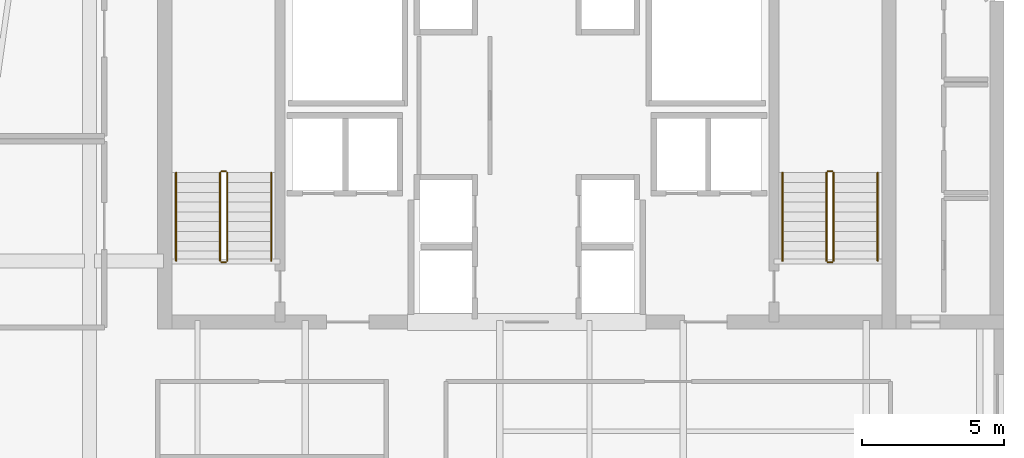
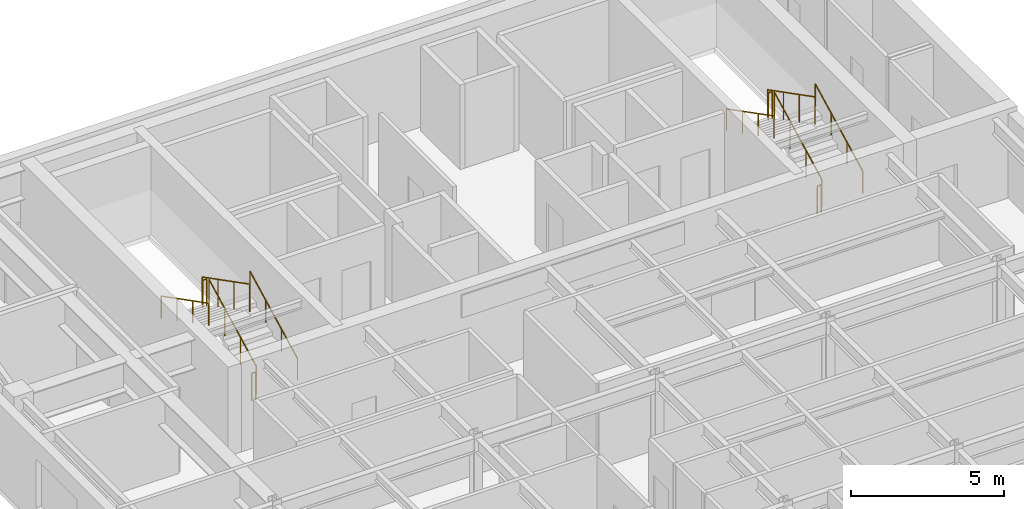
# One storey, part 9 of 9: 12 railings.
"""IFC4 building model written with IfcOpenShell, lengths in metres."""

from ifc_helpers import new_model, si_unit, direction, frame, origin, origin_2d, place, context, subcontext, project, spatial, circle, extrude, material, type_object, element, save


model = new_model("IFC4")

# Units and contexts
model_context = context("Model", 3, precision=1e-05, world=origin(), true_north=direction((0.0, 1.0)))
body_context = subcontext(model_context, "Body", "Model", "MODEL_VIEW")
ifc_project = project(units=[si_unit("LENGTHUNIT", "METRE"), si_unit("AREAUNIT", "SQUARE_METRE"), si_unit("VOLUMEUNIT", "CUBIC_METRE"), si_unit("PLANEANGLEUNIT", "RADIAN"), si_unit("MASSUNIT", "GRAM", prefix="KILO")], contexts=[model_context])

# Site, building, storey
site_placement = place(None, origin())
site = spatial("IfcSite", under=ifc_project, at=site_placement, CompositionType="ELEMENT")
building_placement = place(site_placement, origin())
building = spatial("IfcBuilding", under=site, at=building_placement, Name="Tolvann Quenvar Hotel", CompositionType="ELEMENT")
storey_placement = place(building_placement, frame((0.0, 0.0, 209.699951171875)))
storey = spatial("IfcBuildingStorey", under=building, at=storey_placement, Name="L55", CompositionType="ELEMENT", Elevation=209.699951171875)

# Railings
ifc_material = material(Name="Brushed 316 stainless steel balustrade and handrail", Category="steel")
railing_type_1 = type_object("IfcRailingType", Name="GUARDRAIL", PredefinedType="GUARDRAIL", material=ifc_material)
railing_1_placement = place(storey_placement, frame((12.449951171875, 34.0, 0.177490234375)))
element("IfcRailing", 1, at=railing_1_placement, inside=storey, type_object=railing_type_1, Name="L55 ST-C1 stair guard 1", PredefinedType="GUARDRAIL", context=body_context, shape_type="SweptSolid", body=[
    extrude(circle(Radius=0.02392578125, at=origin_2d()), frame((0.0, 0.0, 1.09619140625), z_axis=(0.0, 0.88919353882, 0.457531256332), x_axis=(-1.0, 0.0, 0.0)), (0.0, 0.0, 1.0), 3.491943359375),
    extrude(circle(Radius=0.02099609375, at=origin_2d()), origin(), (0.0, 0.0, 1.0), 1.072021484375),
    extrude(circle(Radius=0.02099609375, at=origin_2d()), frame((0.0, 1.034912109375, 0.532470703125)), (0.0, 0.0, 1.0), 1.072021484375),
    extrude(circle(Radius=0.02099609375, at=origin_2d()), frame((0.0, 2.070068359375, 1.065185546875)), (0.0, 0.0, 1.0), 1.072021484375),
    extrude(circle(Radius=0.02099609375, at=origin_2d()), frame((0.0, 3.10498046875, 1.59765625)), (0.0, 0.0, 1.0), 1.072021484375),
])
railing_2_placement = place(storey_placement, frame((12.39990234375, 37.155029296875, 1.775146484375)))
element("IfcRailing", 2, at=railing_2_placement, inside=storey, type_object=railing_type_1, Name="L55 ST-C1 stair guard 2", PredefinedType="GUARDRAIL", context=body_context, shape_type="SweptSolid", body=[
    extrude(circle(Radius=0.02392578125, at=origin_2d()), frame((0.0, 0.0, 1.09619140625), z_axis=(-1.0, 0.0, 0.0), x_axis=(0.0, -1.0, 0.0)), (0.0, 0.0, 1.0), 0.14990234375),
    extrude(circle(Radius=0.02099609375, at=origin_2d()), origin(), (0.0, 0.0, 1.0), 1.072021484375),
    extrude(circle(Radius=0.02099609375, at=origin_2d()), frame((-0.14990234375, 0.0, 0.0)), (0.0, 0.0, 1.0), 1.072021484375),
])
railing_3_placement = place(storey_placement, frame((12.199951171875, 37.10498046875, 1.95263671875)))
element("IfcRailing", 3, at=railing_3_placement, inside=storey, type_object=railing_type_1, Name="L55 ST-C1 stair guard 3", PredefinedType="GUARDRAIL", context=body_context, shape_type="SweptSolid", body=[
    extrude(circle(Radius=0.02392578125, at=origin_2d()), frame((0.0, 0.0, 1.09619140625), z_axis=(0.0, -0.889221982265, 0.45747597342), x_axis=(1.0, 0.0, 0.0)), (0.0, 0.0, 1.0), 3.49169921875),
    extrude(circle(Radius=0.02099609375, at=origin_2d()), origin(), (0.0, 0.0, 1.0), 1.072021484375),
    extrude(circle(Radius=0.02099609375, at=origin_2d()), frame((0.0, -1.034912109375, 0.532470703125)), (0.0, 0.0, 1.0), 1.072021484375),
    extrude(circle(Radius=0.02099609375, at=origin_2d()), frame((0.0, -2.070068359375, 1.06494140625)), (0.0, 0.0, 1.0), 1.072021484375),
    extrude(circle(Radius=0.02099609375, at=origin_2d()), frame((0.0, -3.10498046875, 1.597412109375)), (0.0, 0.0, 1.0), 1.072021484375),
])
railing_4_placement = place(storey_placement, frame((12.39990234375, 33.949951171875, 0.0)))
element("IfcRailing", 4, at=railing_4_placement, inside=storey, type_object=railing_type_1, Name="L55 ST-C1 stair guard 4", PredefinedType="GUARDRAIL", context=body_context, shape_type="SweptSolid", body=[
    extrude(circle(Radius=0.02392578125, at=origin_2d()), frame((0.0, 0.0, 1.09619140625), z_axis=(-1.0, 0.0, 0.0), x_axis=(0.0, -1.0, 0.0)), (0.0, 0.0, 1.0), 0.14990234375),
    extrude(circle(Radius=0.02099609375, at=origin_2d()), origin(), (0.0, 0.0, 1.0), 1.072021484375),
    extrude(circle(Radius=0.02099609375, at=origin_2d()), frame((-0.14990234375, 0.0, 0.0)), (0.0, 0.0, 1.0), 1.072021484375),
])
railing_5_placement = place(storey_placement, frame((33.800048828125, 34.0, 0.177490234375)))
element("IfcRailing", 5, at=railing_5_placement, inside=storey, type_object=railing_type_1, Name="L55 ST-C2 stair guard 1", PredefinedType="GUARDRAIL", context=body_context, shape_type="SweptSolid", body=[
    extrude(circle(Radius=0.02392578125, at=origin_2d()), frame((0.0, 0.0, 1.09619140625), z_axis=(0.0, 0.88919353882, 0.457531256332), x_axis=(-1.0, 0.0, 0.0)), (0.0, 0.0, 1.0), 3.491943359375),
    extrude(circle(Radius=0.02099609375, at=origin_2d()), origin(), (0.0, 0.0, 1.0), 1.072021484375),
    extrude(circle(Radius=0.02099609375, at=origin_2d()), frame((0.0, 1.034912109375, 0.532470703125)), (0.0, 0.0, 1.0), 1.072021484375),
    extrude(circle(Radius=0.02099609375, at=origin_2d()), frame((0.0, 2.070068359375, 1.065185546875)), (0.0, 0.0, 1.0), 1.072021484375),
    extrude(circle(Radius=0.02099609375, at=origin_2d()), frame((0.0, 3.10498046875, 1.59765625)), (0.0, 0.0, 1.0), 1.072021484375),
])
railing_6_placement = place(storey_placement, frame((33.75, 37.155029296875, 1.775146484375)))
element("IfcRailing", 6, at=railing_6_placement, inside=storey, type_object=railing_type_1, Name="L55 ST-C2 stair guard 2", PredefinedType="GUARDRAIL", context=body_context, shape_type="SweptSolid", body=[
    extrude(circle(Radius=0.02392578125, at=origin_2d()), frame((0.0, 0.0, 1.09619140625), z_axis=(-1.0, 0.0, 0.0), x_axis=(0.0, -1.0, 0.0)), (0.0, 0.0, 1.0), 0.14990234375),
    extrude(circle(Radius=0.02099609375, at=origin_2d()), origin(), (0.0, 0.0, 1.0), 1.072021484375),
    extrude(circle(Radius=0.02099609375, at=origin_2d()), frame((-0.14990234375, 0.0, 0.0)), (0.0, 0.0, 1.0), 1.072021484375),
])
railing_7_placement = place(storey_placement, frame((33.550048828125, 37.10498046875, 1.95263671875)))
element("IfcRailing", 7, at=railing_7_placement, inside=storey, type_object=railing_type_1, Name="L55 ST-C2 stair guard 3", PredefinedType="GUARDRAIL", context=body_context, shape_type="SweptSolid", body=[
    extrude(circle(Radius=0.02392578125, at=origin_2d()), frame((0.0, 0.0, 1.09619140625), z_axis=(0.0, -0.889221982265, 0.45747597342), x_axis=(1.0, 0.0, 0.0)), (0.0, 0.0, 1.0), 3.49169921875),
    extrude(circle(Radius=0.02099609375, at=origin_2d()), origin(), (0.0, 0.0, 1.0), 1.072021484375),
    extrude(circle(Radius=0.02099609375, at=origin_2d()), frame((0.0, -1.034912109375, 0.532470703125)), (0.0, 0.0, 1.0), 1.072021484375),
    extrude(circle(Radius=0.02099609375, at=origin_2d()), frame((0.0, -2.070068359375, 1.06494140625)), (0.0, 0.0, 1.0), 1.072021484375),
    extrude(circle(Radius=0.02099609375, at=origin_2d()), frame((0.0, -3.10498046875, 1.597412109375)), (0.0, 0.0, 1.0), 1.072021484375),
])
railing_8_placement = place(storey_placement, frame((33.75, 33.949951171875, 0.0)))
element("IfcRailing", 8, at=railing_8_placement, inside=storey, type_object=railing_type_1, Name="L55 ST-C2 stair guard 4", PredefinedType="GUARDRAIL", context=body_context, shape_type="SweptSolid", body=[
    extrude(circle(Radius=0.02392578125, at=origin_2d()), frame((0.0, 0.0, 1.09619140625), z_axis=(-1.0, 0.0, 0.0), x_axis=(0.0, -1.0, 0.0)), (0.0, 0.0, 1.0), 0.14990234375),
    extrude(circle(Radius=0.02099609375, at=origin_2d()), origin(), (0.0, 0.0, 1.0), 1.072021484375),
    extrude(circle(Radius=0.02099609375, at=origin_2d()), frame((-0.14990234375, 0.0, 0.0)), (0.0, 0.0, 1.0), 1.072021484375),
])
railing_type_2 = type_object("IfcRailingType", Name="HANDRAIL", PredefinedType="HANDRAIL", material=ifc_material)
railing_9_placement = place(storey_placement, frame((14.0, 34.0, 0.177490234375)))
element("IfcRailing", 9, at=railing_9_placement, inside=storey, type_object=railing_type_2, Name="L55 ST-C1 stair handrail 1", PredefinedType="HANDRAIL", context=body_context, shape_type="SweptSolid", body=[
    extrude(circle(Radius=0.02392578125, at=origin_2d()), frame((0.0, 0.0, 0.8759765625), z_axis=(0.0, 0.88919353882, 0.457531256332), x_axis=(-1.0, 0.0, 0.0)), (0.0, 0.0, 1.0), 3.491943359375),
    extrude(circle(Radius=0.02099609375, at=origin_2d()), origin(), (0.0, 0.0, 1.0), 0.851806640625),
    extrude(circle(Radius=0.02099609375, at=origin_2d()), frame((0.0, 1.034912109375, 0.532470703125)), (0.0, 0.0, 1.0), 0.851806640625),
    extrude(circle(Radius=0.02099609375, at=origin_2d()), frame((0.0, 2.070068359375, 1.065185546875)), (0.0, 0.0, 1.0), 0.851806640625),
    extrude(circle(Radius=0.02099609375, at=origin_2d()), frame((0.0, 3.10498046875, 1.59765625)), (0.0, 0.0, 1.0), 0.851806640625),
])
railing_10_placement = place(storey_placement, frame((10.64990234375, 37.10498046875, 1.95263671875)))
element("IfcRailing", 10, at=railing_10_placement, inside=storey, type_object=railing_type_2, Name="L55 ST-C1 stair handrail 2", PredefinedType="HANDRAIL", context=body_context, shape_type="SweptSolid", body=[
    extrude(circle(Radius=0.02392578125, at=origin_2d()), frame((0.0, 0.0, 0.8759765625), z_axis=(0.0, -0.889221982265, 0.45747597342), x_axis=(1.0, 0.0, 0.0)), (0.0, 0.0, 1.0), 3.49169921875),
    extrude(circle(Radius=0.02099609375, at=origin_2d()), origin(), (0.0, 0.0, 1.0), 0.851806640625),
    extrude(circle(Radius=0.02099609375, at=origin_2d()), frame((0.0, -1.034912109375, 0.532470703125)), (0.0, 0.0, 1.0), 0.851806640625),
    extrude(circle(Radius=0.02099609375, at=origin_2d()), frame((0.0, -2.070068359375, 1.06494140625)), (0.0, 0.0, 1.0), 0.851806640625),
    extrude(circle(Radius=0.02099609375, at=origin_2d()), frame((0.0, -3.10498046875, 1.597412109375)), (0.0, 0.0, 1.0), 0.851806640625),
])
railing_11_placement = place(storey_placement, frame((35.35009765625, 34.0, 0.177490234375)))
element("IfcRailing", 11, at=railing_11_placement, inside=storey, type_object=railing_type_2, Name="L55 ST-C2 stair handrail 1", PredefinedType="HANDRAIL", context=body_context, shape_type="SweptSolid", body=[
    extrude(circle(Radius=0.02392578125, at=origin_2d()), frame((0.0, 0.0, 0.8759765625), z_axis=(0.0, 0.88919353882, 0.457531256332), x_axis=(-1.0, 0.0, 0.0)), (0.0, 0.0, 1.0), 3.491943359375),
    extrude(circle(Radius=0.02099609375, at=origin_2d()), origin(), (0.0, 0.0, 1.0), 0.851806640625),
    extrude(circle(Radius=0.02099609375, at=origin_2d()), frame((0.0, 1.034912109375, 0.532470703125)), (0.0, 0.0, 1.0), 0.851806640625),
    extrude(circle(Radius=0.02099609375, at=origin_2d()), frame((0.0, 2.070068359375, 1.065185546875)), (0.0, 0.0, 1.0), 0.851806640625),
    extrude(circle(Radius=0.02099609375, at=origin_2d()), frame((0.0, 3.10498046875, 1.59765625)), (0.0, 0.0, 1.0), 0.851806640625),
])
railing_12_placement = place(storey_placement, frame((32.0, 37.10498046875, 1.95263671875)))
element("IfcRailing", 12, at=railing_12_placement, inside=storey, type_object=railing_type_2, Name="L55 ST-C2 stair handrail 2", PredefinedType="HANDRAIL", context=body_context, shape_type="SweptSolid", body=[
    extrude(circle(Radius=0.02392578125, at=origin_2d()), frame((0.0, 0.0, 0.8759765625), z_axis=(0.0, -0.889221982265, 0.45747597342), x_axis=(1.0, 0.0, 0.0)), (0.0, 0.0, 1.0), 3.49169921875),
    extrude(circle(Radius=0.02099609375, at=origin_2d()), origin(), (0.0, 0.0, 1.0), 0.851806640625),
    extrude(circle(Radius=0.02099609375, at=origin_2d()), frame((0.0, -1.034912109375, 0.532470703125)), (0.0, 0.0, 1.0), 0.851806640625),
    extrude(circle(Radius=0.02099609375, at=origin_2d()), frame((0.0, -2.070068359375, 1.06494140625)), (0.0, 0.0, 1.0), 0.851806640625),
    extrude(circle(Radius=0.02099609375, at=origin_2d()), frame((0.0, -3.10498046875, 1.597412109375)), (0.0, 0.0, 1.0), 0.851806640625),
])

save(model, "model.ifc")
